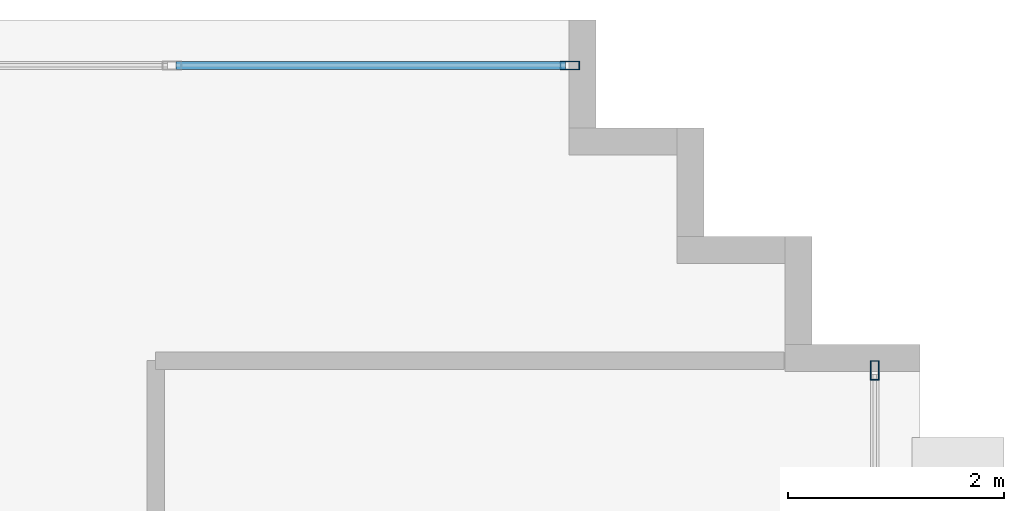
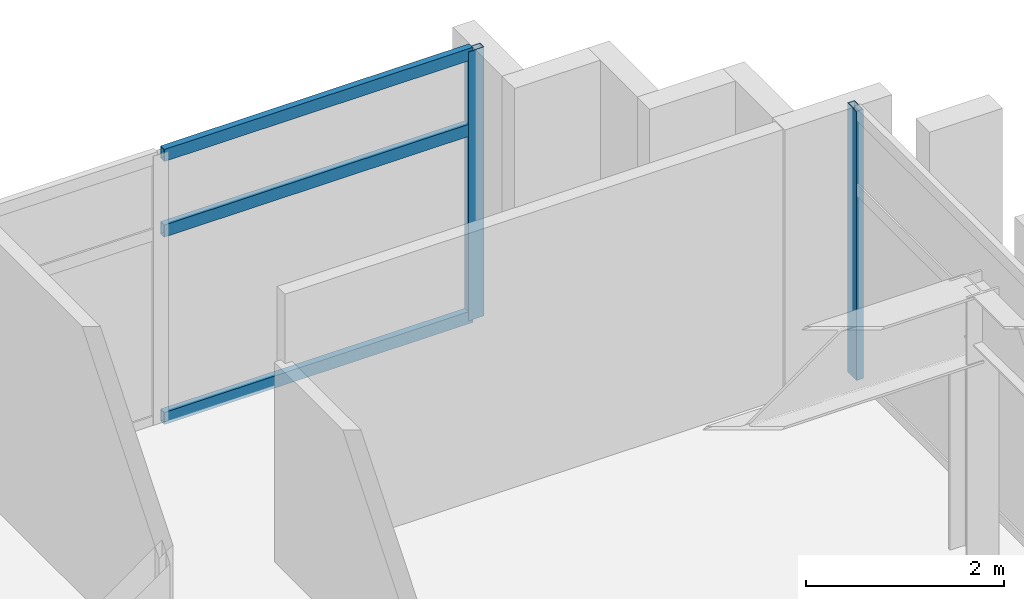
# One storey, part 10 of 15: 5 members, 2 elements without a shape of their own.
"""IFC4 building model written with IfcOpenShell, lengths in metres."""

from ifc_helpers import new_model, si_unit, direction, frame, origin, origin_2d, place, context, subcontext, project, spatial, hollow_rectangle, extrude, source, transform, mapped, material, layer, layer_set, material_profile, profile_set, type_object, element, aggregate, save


model = new_model("IFC4")

# Units and contexts
model_context = context("Model", 3, precision=1e-05, world=origin(), true_north=direction((0.0, 1.0)))
body_context = subcontext(model_context, "Body", "Model", "MODEL_VIEW")
ifc_project = project(units=[si_unit("LENGTHUNIT", "METRE"), si_unit("AREAUNIT", "SQUARE_METRE"), si_unit("VOLUMEUNIT", "CUBIC_METRE"), si_unit("PLANEANGLEUNIT", "RADIAN"), si_unit("MASSUNIT", "GRAM", prefix="KILO")], contexts=[model_context])

# Site, building, storey
site_placement = place(None, origin())
site = spatial("IfcSite", under=ifc_project, at=site_placement, CompositionType="ELEMENT")
building_placement = place(site_placement, origin())
building = spatial("IfcBuilding", under=site, at=building_placement, Name="Ocotamira Hotel", CompositionType="ELEMENT")
storey_placement = place(building_placement, frame((0.0, 0.0, 297.60009765625)))
storey = spatial("IfcBuildingStorey", under=building, at=storey_placement, Name="L76", CompositionType="ELEMENT", Elevation=297.60009765625)

# Curtain wall, members
ifc_material_1 = material(Name="Anodised pale-metal aluminium and solar glass", Category="aluminium")
ifc_layer = layer(ifc_material_1, 0.2099609375)
ifc_layer_set = layer_set([ifc_layer], Name="Anodised pale-metal aluminium and solar glass")
curtain_wall_type = type_object("IfcCurtainWallType", Name="CW-SYS7-PEAK", PredefinedType="NOTDEFINED", material=ifc_layer_set)
curtain_wall_1_placement = place(storey_placement, origin())
curtain_wall_1 = element("IfcCurtainWall", 1, at=curtain_wall_1_placement, inside=storey, type_object=curtain_wall_type, Name="L76 Curtain Wall CW-7 CW-L76-N", PredefinedType="NOTDEFINED")
ifc_material_2 = material(Name="Anodised pale-metal aluminium 6063-T6", Category="aluminium")
ifc_material_profile_1 = material_profile(ifc_material_2, hollow_rectangle(XDim=0.074951171875, YDim=0.14990234375, WallThickness=0.006103515625, at=origin_2d()), Name="HSS150X75X6")
ifc_profile_set_1 = profile_set([ifc_material_profile_1], Name="Anodised pale-metal aluminium 6063-T6")
member_type_1 = type_object("IfcMemberType", Name="CWT-150X75", PredefinedType="USERDEFINED", material=ifc_profile_set_1)
shared_shape_1 = source(origin(), body_context, "Body", "SweptSolid", [
    extrude(hollow_rectangle(XDim=0.074951171875, YDim=0.14990234375, WallThickness=0.006103515625, at=origin_2d()), origin(), (0.0, 0.0, 1.0), 3.599853515625),
])
member_1_placement = place(storey_placement, frame((26.1201171875, 43.580078125, 0.037353515625), z_axis=(1.0, 0.0, 0.0), x_axis=(0.0, 1.0, 0.0)))
member_1 = element("IfcMember", 2, at=member_1_placement, type_object=member_type_1, Name="CW-7 transom 5.1", ObjectType="TRANSOM", PredefinedType="USERDEFINED", context=body_context, shape_type="MappedRepresentation", body=[
    mapped(shared_shape_1, transform((0.0, 0.0, 0.0), scale=1.0)),
])
member_2_placement = place(storey_placement, frame((26.1201171875, 43.580078125, 2.349853515625), z_axis=(1.0, 0.0, 0.0), x_axis=(0.0, 1.0, 0.0)))
member_2 = element("IfcMember", 3, at=member_2_placement, type_object=member_type_1, Name="CW-7 transom 5.2", ObjectType="TRANSOM", PredefinedType="USERDEFINED", context=body_context, shape_type="MappedRepresentation", body=[
    mapped(shared_shape_1, transform((0.0, 0.0, 0.0), scale=1.0)),
])
member_3_placement = place(storey_placement, frame((26.1201171875, 43.580078125, 3.282470703125), z_axis=(1.0, 0.0, 0.0), x_axis=(0.0, 1.0, 0.0)))
member_3 = element("IfcMember", 4, at=member_3_placement, type_object=member_type_1, Name="CW-7 transom 5.3", ObjectType="TRANSOM", PredefinedType="USERDEFINED", context=body_context, shape_type="MappedRepresentation", body=[
    mapped(shared_shape_1, transform((0.0, 0.0, 0.0), scale=1.0)),
])
ifc_material_profile_2 = material_profile(ifc_material_2, hollow_rectangle(XDim=0.080078125, YDim=0.179931640625, WallThickness=0.006103515625, at=origin_2d()), Name="HSS180X80X6")
ifc_profile_set_2 = profile_set([ifc_material_profile_2], Name="Anodised pale-metal aluminium 6063-T6")
member_type_2 = type_object("IfcMemberType", Name="CWM-180X75", PredefinedType="MULLION", material=ifc_profile_set_2)
shared_shape_2 = source(origin(), body_context, "Body", "SweptSolid", [
    extrude(hollow_rectangle(XDim=0.080078125, YDim=0.179931640625, WallThickness=0.006103515625, at=origin_2d()), origin(), (0.0, 0.0, 1.0), 3.31982421875),
])
member_4_placement = place(storey_placement, frame((29.760009765625, 43.580078125, 0.0), z_axis=(0.0, 0.0, 1.0), x_axis=(0.0, 1.0, 0.0)))
member_4 = element("IfcMember", 5, at=member_4_placement, type_object=member_type_2, Name="CW-7 mullion 6", PredefinedType="MULLION", context=body_context, shape_type="MappedRepresentation", body=[
    mapped(shared_shape_2, transform((0.0, 0.0, 0.0), scale=1.0)),
])
aggregate(curtain_wall_1, [member_4, member_1, member_2, member_3])

# Curtain wall, member
curtain_wall_2_placement = place(storey_placement, origin())
curtain_wall_2 = element("IfcCurtainWall", 6, at=curtain_wall_2_placement, inside=storey, type_object=curtain_wall_type, Name="L76 Curtain Wall CW-7 CW-L76-E2", PredefinedType="NOTDEFINED")
member_5_placement = place(storey_placement, frame((32.580078125, 40.760009765625, 0.0), z_axis=(0.0, 0.0, 1.0), x_axis=(-1.0, 0.0, 0.0)))
member_5 = element("IfcMember", 7, at=member_5_placement, type_object=member_type_2, Name="CW-7 mullion 4", PredefinedType="MULLION", context=body_context, shape_type="MappedRepresentation", body=[
    mapped(shared_shape_2, transform((0.0, 0.0, 0.0), scale=1.0)),
])
aggregate(curtain_wall_2, [member_5])

save(model, "model.ifc")
